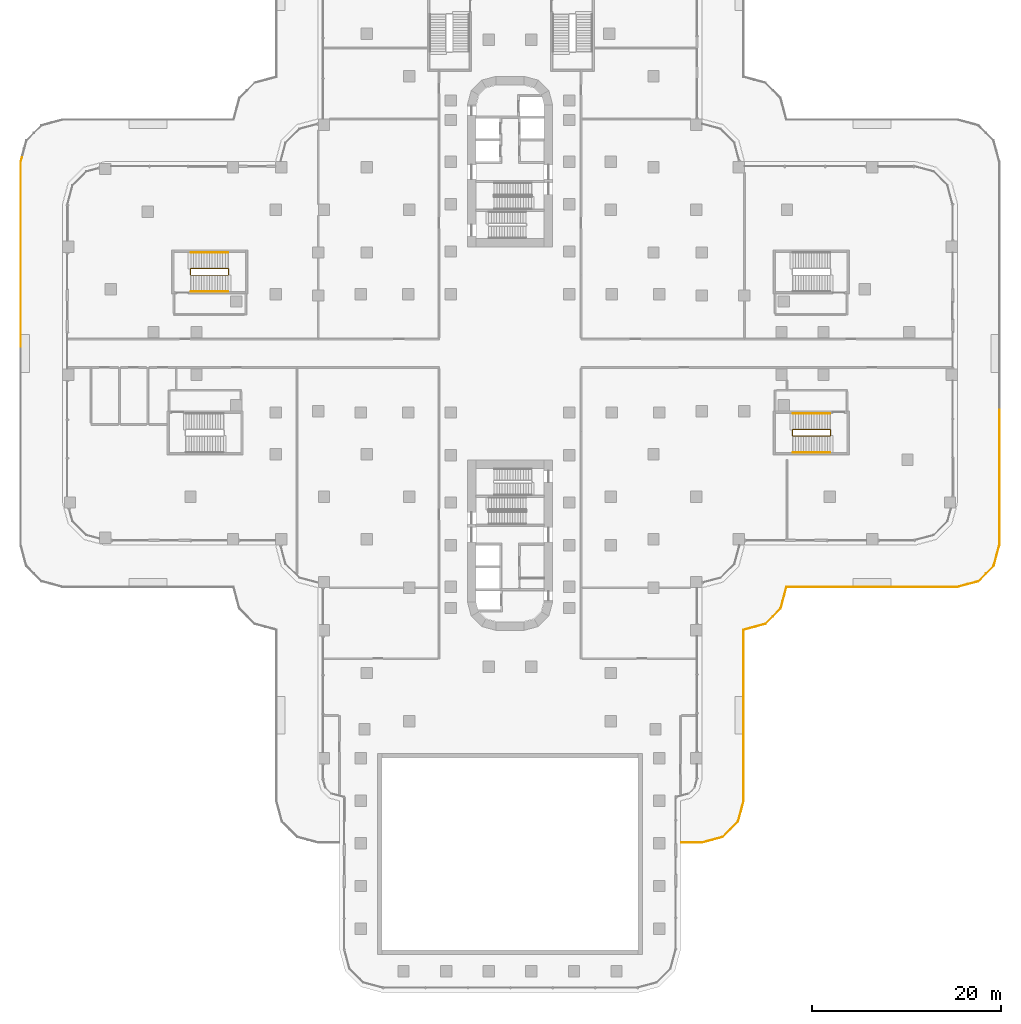
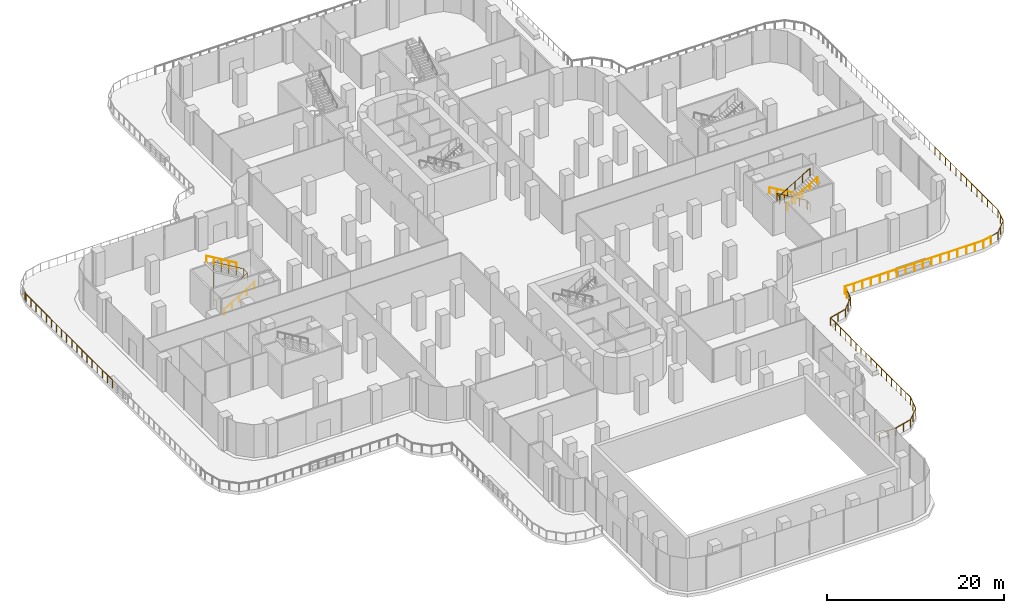
# One storey, part 26 of 29: 11 railings.
"""IFC4 building model written with IfcOpenShell, lengths in metres."""

import ifcopenshell
import ifcopenshell.guid

model = None  # the IFC model being written
_history = None  # IfcOwnerHistory: only IFC2X3 demands one
_inside = {}  # id of a spatial element -> (the spatial element, [elements in it])
_under = {}  # id of a project, library or spatial element -> (it, [spatial elements below it])
_declared = {}  # id of a project -> (the project, [libraries it declares])
_typed = {}  # id of a type object -> (the type object, [elements of that type])
_made_of = {}  # id of a material, layer set ... -> (it, [elements and type objects made of it])


def new_model(schema):
    """Start an empty IFC model of exactly this schema.

    Asked for "IFC4X3", IfcOpenShell would pick the latest addendum, in which some entities
    have other attributes; the version numbers below select the first issue.
    IFC2X3 requires an IfcOwnerHistory on every rooted entity: one is made here for all.
    """
    global model, _history
    if schema == "IFC4X3":
        model = ifcopenshell.file(schema_version=(4, 3, 0, 0))
    else:
        model = ifcopenshell.file(schema=schema)
    _inside.clear()
    _under.clear()
    _declared.clear()
    _typed.clear()
    _made_of.clear()
    _history = None
    if model.schema == "IFC2X3":
        org = make("IfcOrganization", Name="unknown")
        user = make(
            "IfcPersonAndOrganization",
            ThePerson=make("IfcPerson", FamilyName="unknown"),
            TheOrganization=org,
        )
        app = make(
            "IfcApplication",
            ApplicationDeveloper=org,
            Version="unknown",
            ApplicationFullName="unknown",
            ApplicationIdentifier="unknown",
        )
        _history = make(
            "IfcOwnerHistory",
            OwningUser=user,
            OwningApplication=app,
            ChangeAction="ADDED",
            CreationDate=0,
        )
    return model


def make(cls, **values):
    """One entity of the class cls with the attributes given. An attribute that is None is left unset."""
    return model.create_entity(
        cls, **{name: value for name, value in values.items() if value is not None}
    )


def rooted(cls, **values):
    """An entity with a GlobalId (a new one), such as an element, a storey or a relation."""
    return make(cls, GlobalId=ifcopenshell.guid.new(), OwnerHistory=_history, **values)


def si_unit(unit_type, name, prefix=None):
    """IfcSIUnit, for example si_unit("LENGTHUNIT", "METRE", prefix="MILLI")."""
    return make("IfcSIUnit", UnitType=unit_type, Prefix=prefix, Name=name)


def assignment(units):
    """IfcUnitAssignment: the units of a project."""
    return None if units is None else make("IfcUnitAssignment", Units=units)


def point(xyz):
    """IfcCartesianPoint."""
    return None if xyz is None else make("IfcCartesianPoint", Coordinates=xyz)


def direction(xyz):
    """IfcDirection."""
    return None if xyz is None else make("IfcDirection", DirectionRatios=xyz)


def frame(location, z_axis=None, x_axis=None):
    """IfcAxis2Placement3D, a coordinate frame: its origin and axes. An axis left out is left unset."""
    return make(
        "IfcAxis2Placement3D",
        Location=point(location),
        Axis=direction(z_axis),
        RefDirection=direction(x_axis),
    )


def frame_2d(location, x_axis=None):
    """IfcAxis2Placement2D, a coordinate frame in the plane: its origin and x axis."""
    return make(
        "IfcAxis2Placement2D", Location=point(location), RefDirection=direction(x_axis)
    )


def origin():
    """The frame at (0, 0, 0) with its axes left unset."""
    return frame((0.0, 0.0, 0.0))


def origin_2d():
    """The frame at (0, 0) in the plane with its x axis left unset."""
    return frame_2d((0.0, 0.0))


def place(relative_to, where):
    """IfcLocalPlacement: puts the frame where relative to a parent placement (None: the world)."""
    return make(
        "IfcLocalPlacement", PlacementRelTo=relative_to, RelativePlacement=where
    )


def context(
    kind, dimensions, precision=None, world=None, true_north=None, identifier=None
):
    """IfcGeometricRepresentationContext, for example the 3D "Model" context."""
    return make(
        "IfcGeometricRepresentationContext",
        ContextIdentifier=identifier,
        ContextType=kind,
        CoordinateSpaceDimension=dimensions,
        Precision=precision,
        WorldCoordinateSystem=world,
        TrueNorth=true_north,
    )


def subcontext(parent, identifier, kind, view, scale=None):
    """IfcGeometricRepresentationSubContext, for example "Body" below "Model"."""
    return make(
        "IfcGeometricRepresentationSubContext",
        ContextIdentifier=identifier,
        ContextType=kind,
        ParentContext=parent,
        TargetScale=scale,
        TargetView=view,
    )


def project(units=None, contexts=None):
    """IfcProject with its units and contexts."""
    return rooted(
        "IfcProject",
        Name="project",
        RepresentationContexts=contexts,
        UnitsInContext=assignment(units),
    )


def spatial(cls, under=None, at=None, **own):
    """A site, building, storey or space (cls), placed at a placement, below another one or the project."""
    s = rooted(cls, ObjectPlacement=at, **own)
    if under is not None:
        _under.setdefault(under.id(), (under, []))[1].append(s)
    return s


def profile(cls, at=None, kind="AREA", **sizes):
    """A parametric profile (cls). Its sizes go by their IFC names, for example OverallWidth=200.0."""
    return make(cls, ProfileType=kind, Position=at, **sizes)


def circle(**sizes):
    """IfcCircleProfileDef."""
    return profile("IfcCircleProfileDef", **sizes)


def extrude(swept, where, along, depth):
    """IfcExtrudedAreaSolid: the profile swept, set in the frame where, extruded along a direction by depth."""
    return make(
        "IfcExtrudedAreaSolid",
        SweptArea=swept,
        Position=where,
        ExtrudedDirection=direction(along),
        Depth=depth,
    )


def shape(context_of_items, identifier, shape_type, items):
    """IfcShapeRepresentation: the items that make up one representation, for example the "Body"."""
    return make(
        "IfcShapeRepresentation",
        ContextOfItems=context_of_items,
        RepresentationIdentifier=identifier,
        RepresentationType=shape_type,
        Items=items,
    )


def material(Name=None, Category=None):
    """IfcMaterial."""
    return make("IfcMaterial", Name=Name, Category=Category)


def made_of(thing, what):
    """Note that an element or type object is made of a material, layer set ...; save() writes the relation."""
    if what is not None:
        _made_of.setdefault(what.id(), (what, []))[1].append(thing)
    return thing


def type_object(cls, material=None, **own):
    """A type object (cls), such as IfcWallType, which elements share."""
    return made_of(rooted(cls, **own), material)


def element(
    cls,
    number,
    at=None,
    inside=None,
    cuts=None,
    type_object=None,
    material=None,
    context=None,
    identifier="Body",
    shape_type=None,
    held_by="IfcProductDefinitionShape",
    body=None,
    shapes=None,
    **own,
):
    """One element of the class cls, such as IfcWall. Its Tag is "e" and its number.

    at: its placement. inside: the storey or other place that contains it. cuts: it is an
    opening in that element (IfcRelVoidsElement). A single representation is given by context,
    identifier, shape_type and body (its items); several are given by shapes. held_by: the class
    of the entity that holds the representations. save() writes the other relations.
    """
    e = rooted(cls, Tag="e%d" % number, ObjectPlacement=at, **own)
    if body is not None:
        shapes = [shape(context, identifier, shape_type, body)]
    if shapes is not None:
        e.Representation = make(held_by, Representations=shapes)
    if inside is not None:
        _inside.setdefault(inside.id(), (inside, []))[1].append(e)
    if cuts is not None:
        rooted(
            "IfcRelVoidsElement", RelatingBuildingElement=cuts, RelatedOpeningElement=e
        )
    if type_object is not None:
        _typed.setdefault(type_object.id(), (type_object, []))[1].append(e)
    return made_of(e, material)


def aggregate(whole, parts):
    """IfcRelAggregates: a whole, such as a stair, and the parts it consists of."""
    return rooted("IfcRelAggregates", RelatingObject=whole, RelatedObjects=parts)


def save(model, path):
    """Write the relations noted so far, then the file.

    IfcRelAggregates (storeys below a building ...), IfcRelContainedInSpatialStructure (elements
    in a storey), IfcRelDefinesByType, IfcRelAssociatesMaterial and IfcRelDeclares: one each for
    every whole, place, type object, material and project.
    """
    for whole, parts in _under.values():
        aggregate(whole, parts)
    for where, things in _inside.values():
        rooted(
            "IfcRelContainedInSpatialStructure",
            RelatedElements=things,
            RelatingStructure=where,
        )
    for kind, things in _typed.values():
        rooted("IfcRelDefinesByType", RelatedObjects=things, RelatingType=kind)
    for what, things in _made_of.values():
        rooted("IfcRelAssociatesMaterial", RelatedObjects=things, RelatingMaterial=what)
    for by, libraries in _declared.values():
        rooted("IfcRelDeclares", RelatingContext=by, RelatedDefinitions=libraries)
    model.write(path)


model = new_model("IFC4")

# Units and contexts
model_context = context("Model", 3, precision=1e-05, world=origin(), true_north=direction((0.0, 1.0)))
body_context = subcontext(model_context, "Body", "Model", "MODEL_VIEW")
ifc_project = project(units=[si_unit("LENGTHUNIT", "METRE"), si_unit("AREAUNIT", "SQUARE_METRE"), si_unit("VOLUMEUNIT", "CUBIC_METRE"), si_unit("PLANEANGLEUNIT", "RADIAN"), si_unit("MASSUNIT", "GRAM", prefix="KILO")], contexts=[model_context])

# Site, building, storey
site_placement = place(None, origin())
site = spatial("IfcSite", under=ifc_project, at=site_placement, CompositionType="ELEMENT")
building_placement = place(site_placement, origin())
building = spatial("IfcBuilding", under=site, at=building_placement, Name="Zarbagh Exchange Tower", CompositionType="ELEMENT")
storey_placement = place(building_placement, frame((0.0, 0.0, 12.0)))
storey = spatial("IfcBuildingStorey", under=building, at=storey_placement, Name="L02", CompositionType="ELEMENT", Elevation=12.0)

# Railings
ifc_material_1 = material(Name="Stainless steel", Category="steel")
railing_type_1 = type_object("IfcRailingType", Name="Stair guard 1100 mm", PredefinedType="GUARDRAIL", material=ifc_material_1)
railing_1_placement = place(storey_placement, frame((-29.72998046875, 8.300048828125, 2.5)))
element("IfcRailing", 1, at=railing_1_placement, inside=storey, type_object=railing_type_1, Name="PS5 stair guard 1", PredefinedType="GUARDRAIL", context=body_context, shape_type="SweptSolid", body=[
    extrude(circle(Radius=0.02392578125, at=origin_2d()), frame((0.0, 0.0, 1.076171875), z_axis=(0.0, 1.0, 0.0), x_axis=(-1.0, 0.0, 0.0)), (0.0, 0.0, 1.0), 0.599853515625),
    extrude(circle(Radius=0.02392578125, at=origin_2d()), frame((0.0, 0.599853515625, 1.076171875), z_axis=(-0.27628659633, 0.27628659633, 0.920506074601), x_axis=(-0.707106781187, -0.707106781187, 0.0)), (0.0, 0.0, 1.0), 0.18115234375),
    extrude(circle(Radius=0.02392578125, at=origin_2d()), frame((-0.050048828125, 0.64990234375, 1.24267578125), z_axis=(-0.859296244711, 0.0, 0.511478214419), x_axis=(0.0, -1.0, 0.0)), (0.0, 0.0, 1.0), 4.561767578125),
    extrude(circle(Radius=0.02392578125, at=origin_2d()), frame((-3.969970703125, 0.64990234375, 3.576171875), z_axis=(-0.010008762843, -0.010008762843, -0.999899819648), x_axis=(0.707106781187, -0.707106781187, 0.0)), (0.0, 0.0, 1.0), 5.00048828125),
    extrude(circle(Radius=0.02392578125, at=origin_2d()), frame((-4.02001953125, 0.599853515625, -1.423828125), z_axis=(0.0, -1.0, 0.0), x_axis=(1.0, 0.0, 0.0)), (0.0, 0.0, 1.0), 0.599853515625),
    extrude(circle(Radius=0.02392578125, at=origin_2d()), frame((-4.02001953125, 0.0, -1.423828125), z_axis=(0.27628659633, -0.27628659633, 0.920506074601), x_axis=(0.707106781187, 0.707106781187, 0.0)), (0.0, 0.0, 1.0), 0.18115234375),
    extrude(circle(Radius=0.02392578125, at=origin_2d()), frame((-3.969970703125, -0.050048828125, -1.25732421875), z_axis=(0.859296244711, 0.0, 0.511478214419), x_axis=(0.0, 1.0, 0.0)), (0.0, 0.0, 1.0), 4.561767578125),
    extrude(circle(Radius=0.02099609375, at=origin_2d()), origin(), (0.0, 0.0, 1.0), 1.052001953125),
    extrude(circle(Radius=0.02099609375, at=origin_2d()), frame((0.0, 0.599853515625, 0.0)), (0.0, 0.0, 1.0), 1.052001953125),
    extrude(circle(Radius=0.02099609375, at=origin_2d()), frame((-0.050048828125, 0.64990234375, 0.166748046875)), (0.0, 0.0, 1.0), 1.052001953125),
    extrude(circle(Radius=0.02099609375, at=origin_2d()), frame((-1.030029296875, 0.64990234375, 0.75)), (0.0, 0.0, 1.0), 1.052001953125),
    extrude(circle(Radius=0.02099609375, at=origin_2d()), frame((-2.010009765625, 0.64990234375, 1.33349609375)), (0.0, 0.0, 1.0), 1.052001953125),
    extrude(circle(Radius=0.02099609375, at=origin_2d()), frame((-2.989990234375, 0.64990234375, 1.916748046875)), (0.0, 0.0, 1.0), 1.052001953125),
    extrude(circle(Radius=0.02099609375, at=origin_2d()), frame((-3.969970703125, 0.64990234375, 2.5)), (0.0, 0.0, 1.0), 1.052001953125),
    extrude(circle(Radius=0.02099609375, at=origin_2d()), frame((-3.97998046875, 0.639892578125, 1.5)), (0.0, 0.0, 1.0), 1.052001953125),
    extrude(circle(Radius=0.02099609375, at=origin_2d()), frame((-3.989990234375, 0.6298828125, 0.5)), (0.0, 0.0, 1.0), 1.052001953125),
    extrude(circle(Radius=0.02099609375, at=origin_2d()), frame((-4.0, 0.619873046875, -0.5)), (0.0, 0.0, 1.0), 1.052001953125),
    extrude(circle(Radius=0.02099609375, at=origin_2d()), frame((-4.010009765625, 0.60986328125, -1.5)), (0.0, 0.0, 1.0), 1.052001953125),
    extrude(circle(Radius=0.02099609375, at=origin_2d()), frame((-4.02001953125, 0.599853515625, -2.5)), (0.0, 0.0, 1.0), 1.052001953125),
    extrude(circle(Radius=0.02099609375, at=origin_2d()), frame((-4.02001953125, 0.0, -2.5)), (0.0, 0.0, 1.0), 1.052001953125),
    extrude(circle(Radius=0.02099609375, at=origin_2d()), frame((-3.969970703125, -0.050048828125, -2.333251953125)), (0.0, 0.0, 1.0), 1.052001953125),
    extrude(circle(Radius=0.02099609375, at=origin_2d()), frame((-2.989990234375, -0.050048828125, -1.75)), (0.0, 0.0, 1.0), 1.052001953125),
    extrude(circle(Radius=0.02099609375, at=origin_2d()), frame((-2.010009765625, -0.050048828125, -1.16650390625)), (0.0, 0.0, 1.0), 1.052001953125),
    extrude(circle(Radius=0.02099609375, at=origin_2d()), frame((-1.030029296875, -0.050048828125, -0.583251953125)), (0.0, 0.0, 1.0), 1.052001953125),
    extrude(circle(Radius=0.02099609375, at=origin_2d()), frame((-0.050048828125, -0.050048828125, 0.0)), (0.0, 0.0, 1.0), 1.052001953125),
])
railing_2_placement = place(storey_placement, frame((33.85009765625, -8.699951171875, 0.0)))
element("IfcRailing", 2, at=railing_2_placement, inside=storey, type_object=railing_type_1, Name="PS6 stair guard 1", PredefinedType="GUARDRAIL", context=body_context, shape_type="SweptSolid", body=[
    extrude(circle(Radius=0.02392578125, at=origin_2d()), frame((0.0, 0.0, 1.076171875), z_axis=(0.0, 1.0, 0.0), x_axis=(-1.0, 0.0, 0.0)), (0.0, 0.0, 1.0), 0.599853515625),
    extrude(circle(Radius=0.02392578125, at=origin_2d()), frame((0.0, 0.599853515625, 1.076171875), z_axis=(-0.27628659633, 0.27628659633, 0.920506074601), x_axis=(-0.707106781187, -0.707106781187, 0.0)), (0.0, 0.0, 1.0), 0.18115234375),
    extrude(circle(Radius=0.02392578125, at=origin_2d()), frame((-0.050048828125, 0.64990234375, 1.24267578125), z_axis=(-0.859310244771, 0.0, 0.511454693235), x_axis=(0.0, -1.0, 0.0)), (0.0, 0.0, 1.0), 4.56201171875),
    extrude(circle(Radius=0.02392578125, at=origin_2d()), frame((-3.97021484375, 0.64990234375, 3.576171875), z_axis=(-0.705375805398, -0.708833529934, 0.0), x_axis=(0.708833529934, -0.705375805398, 0.0)), (0.0, 0.0, 1.0), 0.070556640625),
    extrude(circle(Radius=0.02392578125, at=origin_2d()), frame((-4.02001953125, 0.599853515625, 3.576171875), z_axis=(0.0, -1.0, 0.0), x_axis=(1.0, 0.0, 0.0)), (0.0, 0.0, 1.0), 0.599853515625),
    extrude(circle(Radius=0.02392578125, at=origin_2d()), frame((-4.02001953125, 0.0, 3.576171875), z_axis=(0.275041040955, -0.276389281352, 0.920848191041), x_axis=(0.708833529934, 0.705375805398, 0.0)), (0.0, 0.0, 1.0), 0.18115234375),
    extrude(circle(Radius=0.02392578125, at=origin_2d()), frame((-3.97021484375, -0.050048828125, 3.74267578125), z_axis=(0.859310244771, 0.0, 0.511454693235), x_axis=(0.0, 1.0, 0.0)), (0.0, 0.0, 1.0), 4.56201171875),
    extrude(circle(Radius=0.02099609375, at=origin_2d()), origin(), (0.0, 0.0, 1.0), 1.052001953125),
    extrude(circle(Radius=0.02099609375, at=origin_2d()), frame((0.0, 0.599853515625, 0.0)), (0.0, 0.0, 1.0), 1.052001953125),
    extrude(circle(Radius=0.02099609375, at=origin_2d()), frame((-0.050048828125, 0.64990234375, 0.166748046875)), (0.0, 0.0, 1.0), 1.052001953125),
    extrude(circle(Radius=0.02099609375, at=origin_2d()), frame((-1.030029296875, 0.64990234375, 0.75)), (0.0, 0.0, 1.0), 1.052001953125),
    extrude(circle(Radius=0.02099609375, at=origin_2d()), frame((-2.01025390625, 0.64990234375, 1.33349609375)), (0.0, 0.0, 1.0), 1.052001953125),
    extrude(circle(Radius=0.02099609375, at=origin_2d()), frame((-2.990234375, 0.64990234375, 1.916748046875)), (0.0, 0.0, 1.0), 1.052001953125),
    extrude(circle(Radius=0.02099609375, at=origin_2d()), frame((-3.97021484375, 0.64990234375, 2.5)), (0.0, 0.0, 1.0), 1.052001953125),
    extrude(circle(Radius=0.02099609375, at=origin_2d()), frame((-4.02001953125, 0.599853515625, 2.5)), (0.0, 0.0, 1.0), 1.052001953125),
    extrude(circle(Radius=0.02099609375, at=origin_2d()), frame((-4.02001953125, 0.0, 2.5)), (0.0, 0.0, 1.0), 1.052001953125),
    extrude(circle(Radius=0.02099609375, at=origin_2d()), frame((-3.97021484375, -0.050048828125, 2.666748046875)), (0.0, 0.0, 1.0), 1.052001953125),
    extrude(circle(Radius=0.02099609375, at=origin_2d()), frame((-2.990234375, -0.050048828125, 3.25)), (0.0, 0.0, 1.0), 1.052001953125),
    extrude(circle(Radius=0.02099609375, at=origin_2d()), frame((-2.01025390625, -0.050048828125, 3.83349609375)), (0.0, 0.0, 1.0), 1.052001953125),
    extrude(circle(Radius=0.02099609375, at=origin_2d()), frame((-1.030029296875, -0.050048828125, 4.416748046875)), (0.0, 0.0, 1.0), 1.052001953125),
    extrude(circle(Radius=0.02099609375, at=origin_2d()), frame((-0.050048828125, -0.050048828125, 5.0)), (0.0, 0.0, 1.0), 1.052001953125),
])
railing_type_2 = type_object("IfcRailingType", Name="Stair handrail 900 mm", PredefinedType="HANDRAIL", material=ifc_material_1)
railing_3_placement = place(storey_placement, frame((-33.699951171875, 6.550048828125, 0.166748046875)))
element("IfcRailing", 3, at=railing_3_placement, inside=storey, type_object=railing_type_2, Name="PS5 stair handrail 1", PredefinedType="HANDRAIL", context=body_context, shape_type="SweptSolid", body=[
    extrude(circle(Radius=0.02392578125, at=origin_2d()), frame((0.0, 0.0, 0.8759765625), z_axis=(0.859296244711, 0.0, 0.511478214419), x_axis=(0.0, 1.0, 0.0)), (0.0, 0.0, 1.0), 4.561767578125),
    extrude(circle(Radius=0.02099609375, at=origin_2d()), origin(), (0.0, 0.0, 1.0), 0.851806640625),
    extrude(circle(Radius=0.02099609375, at=origin_2d()), frame((0.97998046875, 0.0, 0.583251953125)), (0.0, 0.0, 1.0), 0.851806640625),
    extrude(circle(Radius=0.02099609375, at=origin_2d()), frame((1.9599609375, 0.0, 1.16650390625)), (0.0, 0.0, 1.0), 0.851806640625),
    extrude(circle(Radius=0.02099609375, at=origin_2d()), frame((2.93994140625, 0.0, 1.75)), (0.0, 0.0, 1.0), 0.851806640625),
    extrude(circle(Radius=0.02099609375, at=origin_2d()), frame((3.919921875, 0.0, 2.333251953125)), (0.0, 0.0, 1.0), 0.851806640625),
])
railing_4_placement = place(storey_placement, frame((-29.780029296875, 10.64990234375, 2.666748046875)))
element("IfcRailing", 4, at=railing_4_placement, inside=storey, type_object=railing_type_2, Name="PS5 stair handrail 2", PredefinedType="HANDRAIL", context=body_context, shape_type="SweptSolid", body=[
    extrude(circle(Radius=0.02392578125, at=origin_2d()), frame((0.0, 0.0, 0.8759765625), z_axis=(-0.859296244711, 0.0, 0.511478214419), x_axis=(0.0, -1.0, 0.0)), (0.0, 0.0, 1.0), 4.561767578125),
    extrude(circle(Radius=0.02099609375, at=origin_2d()), origin(), (0.0, 0.0, 1.0), 0.851806640625),
    extrude(circle(Radius=0.02099609375, at=origin_2d()), frame((-0.97998046875, 0.0, 0.583251953125)), (0.0, 0.0, 1.0), 0.851806640625),
    extrude(circle(Radius=0.02099609375, at=origin_2d()), frame((-1.9599609375, 0.0, 1.16650390625)), (0.0, 0.0, 1.0), 0.851806640625),
    extrude(circle(Radius=0.02099609375, at=origin_2d()), frame((-2.93994140625, 0.0, 1.75)), (0.0, 0.0, 1.0), 0.851806640625),
    extrude(circle(Radius=0.02099609375, at=origin_2d()), frame((-3.919921875, 0.0, 2.333251953125)), (0.0, 0.0, 1.0), 0.851806640625),
])
railing_5_placement = place(storey_placement, frame((33.800048828125, -6.35009765625, 0.166748046875)))
element("IfcRailing", 5, at=railing_5_placement, inside=storey, type_object=railing_type_2, Name="PS6 stair handrail 1", PredefinedType="HANDRAIL", context=body_context, shape_type="SweptSolid", body=[
    extrude(circle(Radius=0.02392578125, at=origin_2d()), frame((0.0, 0.0, 0.8759765625), z_axis=(-0.859310244771, 0.0, 0.511454693235), x_axis=(0.0, -1.0, 0.0)), (0.0, 0.0, 1.0), 4.56201171875),
    extrude(circle(Radius=0.02099609375, at=origin_2d()), origin(), (0.0, 0.0, 1.0), 0.851806640625),
    extrude(circle(Radius=0.02099609375, at=origin_2d()), frame((-0.97998046875, 0.0, 0.583251953125)), (0.0, 0.0, 1.0), 0.851806640625),
    extrude(circle(Radius=0.02099609375, at=origin_2d()), frame((-1.9599609375, 0.0, 1.16650390625)), (0.0, 0.0, 1.0), 0.851806640625),
    extrude(circle(Radius=0.02099609375, at=origin_2d()), frame((-2.940185546875, 0.0, 1.75)), (0.0, 0.0, 1.0), 0.851806640625),
    extrude(circle(Radius=0.02099609375, at=origin_2d()), frame((-3.920166015625, 0.0, 2.333251953125)), (0.0, 0.0, 1.0), 0.851806640625),
])
railing_6_placement = place(storey_placement, frame((29.8798828125, -10.449951171875, 2.666748046875)))
element("IfcRailing", 6, at=railing_6_placement, inside=storey, type_object=railing_type_2, Name="PS6 stair handrail 2", PredefinedType="HANDRAIL", context=body_context, shape_type="SweptSolid", body=[
    extrude(circle(Radius=0.02392578125, at=origin_2d()), frame((0.0, 0.0, 0.8759765625), z_axis=(0.859310244771, 0.0, 0.511454693235), x_axis=(0.0, 1.0, 0.0)), (0.0, 0.0, 1.0), 4.56201171875),
    extrude(circle(Radius=0.02099609375, at=origin_2d()), origin(), (0.0, 0.0, 1.0), 0.851806640625),
    extrude(circle(Radius=0.02099609375, at=origin_2d()), frame((0.97998046875, 0.0, 0.583251953125)), (0.0, 0.0, 1.0), 0.851806640625),
    extrude(circle(Radius=0.02099609375, at=origin_2d()), frame((1.9599609375, 0.0, 1.16650390625)), (0.0, 0.0, 1.0), 0.851806640625),
    extrude(circle(Radius=0.02099609375, at=origin_2d()), frame((2.940185546875, 0.0, 1.75)), (0.0, 0.0, 1.0), 0.851806640625),
    extrude(circle(Radius=0.02099609375, at=origin_2d()), frame((3.920166015625, 0.0, 2.333251953125)), (0.0, 0.0, 1.0), 0.851806640625),
])
ifc_material_2 = material(Name="Stainless steel and laminated glass", Category="steel")
railing_type_3 = type_object("IfcRailingType", Name="Terrace guard, glass balustrade 1.1 m", PredefinedType="GUARDRAIL", material=ifc_material_2)
railing_7_placement = place(storey_placement, frame((-51.669921875, 0.711669921875, 0.0)))
element("IfcRailing", 7, at=railing_7_placement, inside=storey, type_object=railing_type_3, Name="TG01 terrace guard", PredefinedType="GUARDRAIL", context=body_context, shape_type="SweptSolid", body=[
    extrude(circle(Radius=0.02490234375, at=origin_2d()), frame((0.0, 0.0, 1.0751953125), z_axis=(0.0, 1.0, 0.0), x_axis=(-1.0, 0.0, 0.0)), (0.0, 0.0, 1.0), 19.52783203125),
    extrude(circle(Radius=0.02490234375, at=origin_2d()), frame((0.0, 19.52783203125, 1.0751953125), z_axis=(0.258563756556, 0.965994194494, 0.0), x_axis=(-0.965994194494, 0.258563756556, 0.0)), (0.0, 0.0, 1.0), 0.47216796875),
    extrude(circle(Radius=0.02490234375, at=origin_2d()), origin(), (0.0, 0.0, 1.0), 1.050048828125),
    extrude(circle(Radius=0.02490234375, at=origin_2d()), frame((0.0, 1.148681640625, 0.0)), (0.0, 0.0, 1.0), 1.050048828125),
    extrude(circle(Radius=0.02490234375, at=origin_2d()), frame((0.0, 2.29736328125, 0.0)), (0.0, 0.0, 1.0), 1.050048828125),
    extrude(circle(Radius=0.02490234375, at=origin_2d()), frame((0.0, 3.446044921875, 0.0)), (0.0, 0.0, 1.0), 1.050048828125),
    extrude(circle(Radius=0.02490234375, at=origin_2d()), frame((0.0, 4.5947265625, 0.0)), (0.0, 0.0, 1.0), 1.050048828125),
    extrude(circle(Radius=0.02490234375, at=origin_2d()), frame((0.0, 5.743408203125, 0.0)), (0.0, 0.0, 1.0), 1.050048828125),
    extrude(circle(Radius=0.02490234375, at=origin_2d()), frame((0.0, 6.89208984375, 0.0)), (0.0, 0.0, 1.0), 1.050048828125),
    extrude(circle(Radius=0.02490234375, at=origin_2d()), frame((0.0, 8.040771484375, 0.0)), (0.0, 0.0, 1.0), 1.050048828125),
    extrude(circle(Radius=0.02490234375, at=origin_2d()), frame((0.0, 9.189453125, 0.0)), (0.0, 0.0, 1.0), 1.050048828125),
    extrude(circle(Radius=0.02490234375, at=origin_2d()), frame((0.0, 10.33837890625, 0.0)), (0.0, 0.0, 1.0), 1.050048828125),
    extrude(circle(Radius=0.02490234375, at=origin_2d()), frame((0.0, 11.487060546875, 0.0)), (0.0, 0.0, 1.0), 1.050048828125),
    extrude(circle(Radius=0.02490234375, at=origin_2d()), frame((0.0, 12.6357421875, 0.0)), (0.0, 0.0, 1.0), 1.050048828125),
    extrude(circle(Radius=0.02490234375, at=origin_2d()), frame((0.0, 13.784423828125, 0.0)), (0.0, 0.0, 1.0), 1.050048828125),
    extrude(circle(Radius=0.02490234375, at=origin_2d()), frame((0.0, 14.93310546875, 0.0)), (0.0, 0.0, 1.0), 1.050048828125),
    extrude(circle(Radius=0.02490234375, at=origin_2d()), frame((0.0, 16.081787109375, 0.0)), (0.0, 0.0, 1.0), 1.050048828125),
    extrude(circle(Radius=0.02490234375, at=origin_2d()), frame((0.0, 17.23046875, 0.0)), (0.0, 0.0, 1.0), 1.050048828125),
    extrude(circle(Radius=0.02490234375, at=origin_2d()), frame((0.0, 18.379150390625, 0.0)), (0.0, 0.0, 1.0), 1.050048828125),
    extrude(circle(Radius=0.02490234375, at=origin_2d()), frame((0.0, 19.52783203125, 0.0)), (0.0, 0.0, 1.0), 1.050048828125),
    extrude(circle(Radius=0.02490234375, at=origin_2d()), frame((0.1220703125, 19.98388671875, 0.0)), (0.0, 0.0, 1.0), 1.050048828125),
])
railing_8_placement = place(storey_placement, frame((51.669921875, -5.974853515625, 0.0)))
element("IfcRailing", 8, at=railing_8_placement, inside=storey, type_object=railing_type_3, Name="TG01 terrace guard", PredefinedType="GUARDRAIL", context=body_context, shape_type="SweptSolid", body=[
    extrude(circle(Radius=0.02490234375, at=origin_2d()), frame((0.0, 0.0, 1.0751953125), z_axis=(0.0, -1.0, 0.0), x_axis=(1.0, 0.0, 0.0)), (0.0, 0.0, 1.0), 14.2646484375),
    extrude(circle(Radius=0.02490234375, at=origin_2d()), frame((0.0, -14.2646484375, 1.0751953125), z_axis=(-0.258780353152, -0.965936192935, 0.0), x_axis=(0.965936192935, -0.258780353152, 0.0)), (0.0, 0.0, 1.0), 2.29736328125),
    extrude(circle(Radius=0.02490234375, at=origin_2d()), frame((-0.594482421875, -16.483642578125, 1.0751953125), z_axis=(-0.707106781187, -0.707106781187, 0.0), x_axis=(0.707106781187, -0.707106781187, 0.0)), (0.0, 0.0, 1.0), 2.28662109375),
    extrude(circle(Radius=0.02490234375, at=origin_2d()), frame((-2.21142578125, -18.1005859375, 1.0751953125), z_axis=(-0.965952783511, -0.258718418416, 0.0), x_axis=(0.258718418416, -0.965952783511, 0.0)), (0.0, 0.0, 1.0), 1.1513671875),
    extrude(circle(Radius=0.02490234375, at=origin_2d()), origin(), (0.0, 0.0, 1.0), 1.050048828125),
    extrude(circle(Radius=0.02490234375, at=origin_2d()), frame((0.0, -1.188720703125, 0.0)), (0.0, 0.0, 1.0), 1.050048828125),
    extrude(circle(Radius=0.02490234375, at=origin_2d()), frame((0.0, -2.37744140625, 0.0)), (0.0, 0.0, 1.0), 1.050048828125),
    extrude(circle(Radius=0.02490234375, at=origin_2d()), frame((0.0, -3.566162109375, 0.0)), (0.0, 0.0, 1.0), 1.050048828125),
    extrude(circle(Radius=0.02490234375, at=origin_2d()), frame((0.0, -4.7548828125, 0.0)), (0.0, 0.0, 1.0), 1.050048828125),
    extrude(circle(Radius=0.02490234375, at=origin_2d()), frame((0.0, -5.943603515625, 0.0)), (0.0, 0.0, 1.0), 1.050048828125),
    extrude(circle(Radius=0.02490234375, at=origin_2d()), frame((0.0, -7.13232421875, 0.0)), (0.0, 0.0, 1.0), 1.050048828125),
    extrude(circle(Radius=0.02490234375, at=origin_2d()), frame((0.0, -8.321044921875, 0.0)), (0.0, 0.0, 1.0), 1.050048828125),
    extrude(circle(Radius=0.02490234375, at=origin_2d()), frame((0.0, -9.509765625, 0.0)), (0.0, 0.0, 1.0), 1.050048828125),
    extrude(circle(Radius=0.02490234375, at=origin_2d()), frame((0.0, -10.698486328125, 0.0)), (0.0, 0.0, 1.0), 1.050048828125),
    extrude(circle(Radius=0.02490234375, at=origin_2d()), frame((0.0, -11.88720703125, 0.0)), (0.0, 0.0, 1.0), 1.050048828125),
    extrude(circle(Radius=0.02490234375, at=origin_2d()), frame((0.0, -13.075927734375, 0.0)), (0.0, 0.0, 1.0), 1.050048828125),
    extrude(circle(Radius=0.02490234375, at=origin_2d()), frame((0.0, -14.2646484375, 0.0)), (0.0, 0.0, 1.0), 1.050048828125),
    extrude(circle(Radius=0.02490234375, at=origin_2d()), frame((-0.29736328125, -15.3740234375, 0.0)), (0.0, 0.0, 1.0), 1.050048828125),
    extrude(circle(Radius=0.02490234375, at=origin_2d()), frame((-0.594482421875, -16.483642578125, 0.0)), (0.0, 0.0, 1.0), 1.050048828125),
    extrude(circle(Radius=0.02490234375, at=origin_2d()), frame((-1.40283203125, -17.2919921875, 0.0)), (0.0, 0.0, 1.0), 1.050048828125),
    extrude(circle(Radius=0.02490234375, at=origin_2d()), frame((-2.21142578125, -18.1005859375, 0.0)), (0.0, 0.0, 1.0), 1.050048828125),
    extrude(circle(Radius=0.02490234375, at=origin_2d()), frame((-3.323486328125, -18.3984375, 0.0)), (0.0, 0.0, 1.0), 1.050048828125),
])
railing_9_placement = place(storey_placement, frame((48.346435546875, -24.373291015625, 0.0)))
element("IfcRailing", 9, at=railing_9_placement, inside=storey, type_object=railing_type_3, Name="TG01 terrace guard", PredefinedType="GUARDRAIL", context=body_context, shape_type="SweptSolid", body=[
    extrude(circle(Radius=0.02490234375, at=origin_2d()), frame((0.0, 0.0, 1.0751953125), z_axis=(-0.965919522093, -0.258842571536, 0.0), x_axis=(0.258842571536, -0.965919522093, 0.0)), (0.0, 0.0, 1.0), 1.14599609375),
    extrude(circle(Radius=0.02490234375, at=origin_2d()), frame((-1.10693359375, -0.296630859375, 1.0751953125), z_axis=(-1.0, 0.0, 0.0), x_axis=(0.0, -1.0, 0.0)), (0.0, 0.0, 1.0), 18.05078125),
    extrude(circle(Radius=0.02490234375, at=origin_2d()), frame((-19.15771484375, -0.296630859375, 1.0751953125), z_axis=(-0.258948766986, -0.965891058079, 0.0), x_axis=(0.965891058079, -0.258948766986, 0.0)), (0.0, 0.0, 1.0), 0.80322265625),
    extrude(circle(Radius=0.02490234375, at=origin_2d()), origin(), (0.0, 0.0, 1.0), 1.050048828125),
    extrude(circle(Radius=0.02490234375, at=origin_2d()), frame((-1.10693359375, -0.296630859375, 0.0)), (0.0, 0.0, 1.0), 1.050048828125),
    extrude(circle(Radius=0.02490234375, at=origin_2d()), frame((-2.235107421875, -0.296630859375, 0.0)), (0.0, 0.0, 1.0), 1.050048828125),
    extrude(circle(Radius=0.02490234375, at=origin_2d()), frame((-3.36328125, -0.296630859375, 0.0)), (0.0, 0.0, 1.0), 1.050048828125),
    extrude(circle(Radius=0.02490234375, at=origin_2d()), frame((-4.491455078125, -0.296630859375, 0.0)), (0.0, 0.0, 1.0), 1.050048828125),
    extrude(circle(Radius=0.02490234375, at=origin_2d()), frame((-5.61962890625, -0.296630859375, 0.0)), (0.0, 0.0, 1.0), 1.050048828125),
    extrude(circle(Radius=0.02490234375, at=origin_2d()), frame((-6.747802734375, -0.296630859375, 0.0)), (0.0, 0.0, 1.0), 1.050048828125),
    extrude(circle(Radius=0.02490234375, at=origin_2d()), frame((-7.8759765625, -0.296630859375, 0.0)), (0.0, 0.0, 1.0), 1.050048828125),
    extrude(circle(Radius=0.02490234375, at=origin_2d()), frame((-9.004150390625, -0.296630859375, 0.0)), (0.0, 0.0, 1.0), 1.050048828125),
    extrude(circle(Radius=0.02490234375, at=origin_2d()), frame((-10.13232421875, -0.296630859375, 0.0)), (0.0, 0.0, 1.0), 1.050048828125),
    extrude(circle(Radius=0.02490234375, at=origin_2d()), frame((-11.260498046875, -0.296630859375, 0.0)), (0.0, 0.0, 1.0), 1.050048828125),
    extrude(circle(Radius=0.02490234375, at=origin_2d()), frame((-12.388671875, -0.296630859375, 0.0)), (0.0, 0.0, 1.0), 1.050048828125),
    extrude(circle(Radius=0.02490234375, at=origin_2d()), frame((-13.516845703125, -0.296630859375, 0.0)), (0.0, 0.0, 1.0), 1.050048828125),
    extrude(circle(Radius=0.02490234375, at=origin_2d()), frame((-14.64501953125, -0.296630859375, 0.0)), (0.0, 0.0, 1.0), 1.050048828125),
    extrude(circle(Radius=0.02490234375, at=origin_2d()), frame((-15.773193359375, -0.296630859375, 0.0)), (0.0, 0.0, 1.0), 1.050048828125),
    extrude(circle(Radius=0.02490234375, at=origin_2d()), frame((-16.9013671875, -0.296630859375, 0.0)), (0.0, 0.0, 1.0), 1.050048828125),
    extrude(circle(Radius=0.02490234375, at=origin_2d()), frame((-18.029541015625, -0.296630859375, 0.0)), (0.0, 0.0, 1.0), 1.050048828125),
    extrude(circle(Radius=0.02490234375, at=origin_2d()), frame((-19.15771484375, -0.296630859375, 0.0)), (0.0, 0.0, 1.0), 1.050048828125),
    extrude(circle(Radius=0.02490234375, at=origin_2d()), frame((-19.36572265625, -1.072509765625, 0.0)), (0.0, 0.0, 1.0), 1.050048828125),
])
railing_10_placement = place(storey_placement, frame((28.980712890625, -25.44580078125, 0.0)))
element("IfcRailing", 10, at=railing_10_placement, inside=storey, type_object=railing_type_3, Name="TG01 terrace guard", PredefinedType="GUARDRAIL", context=body_context, shape_type="SweptSolid", body=[
    extrude(circle(Radius=0.02490234375, at=origin_2d()), frame((0.0, 0.0, 1.0751953125), z_axis=(-0.258788034857, -0.965934134926, 0.0), x_axis=(0.965934134926, -0.258788034857, 0.0)), (0.0, 0.0, 1.0), 1.566162109375),
    extrude(circle(Radius=0.02490234375, at=origin_2d()), frame((-0.4052734375, -1.5126953125, 1.0751953125), z_axis=(-0.707106781187, -0.707106781187, 0.0), x_axis=(0.707106781187, -0.707106781187, 0.0)), (0.0, 0.0, 1.0), 2.28662109375),
    extrude(circle(Radius=0.02490234375, at=origin_2d()), frame((-2.022216796875, -3.129638671875, 1.0751953125), z_axis=(-0.965919533457, -0.258842529128, 0.0), x_axis=(0.258842529128, -0.965919533457, 0.0)), (0.0, 0.0, 1.0), 2.369384765625),
    extrude(circle(Radius=0.02490234375, at=origin_2d()), frame((-4.310791015625, -3.742919921875, 1.0751953125), z_axis=(0.0, -1.0, 0.0), x_axis=(1.0, 0.0, 0.0)), (0.0, 0.0, 1.0), 13.77783203125),
    extrude(circle(Radius=0.02490234375, at=origin_2d()), origin(), (0.0, 0.0, 1.0), 1.050048828125),
    extrude(circle(Radius=0.02490234375, at=origin_2d()), frame((-0.20263671875, -0.75634765625, 0.0)), (0.0, 0.0, 1.0), 1.050048828125),
    extrude(circle(Radius=0.02490234375, at=origin_2d()), frame((-0.4052734375, -1.5126953125, 0.0)), (0.0, 0.0, 1.0), 1.050048828125),
    extrude(circle(Radius=0.02490234375, at=origin_2d()), frame((-1.2138671875, -2.3212890625, 0.0)), (0.0, 0.0, 1.0), 1.050048828125),
    extrude(circle(Radius=0.02490234375, at=origin_2d()), frame((-2.022216796875, -3.129638671875, 0.0)), (0.0, 0.0, 1.0), 1.050048828125),
    extrude(circle(Radius=0.02490234375, at=origin_2d()), frame((-3.16650390625, -3.436279296875, 0.0)), (0.0, 0.0, 1.0), 1.050048828125),
    extrude(circle(Radius=0.02490234375, at=origin_2d()), frame((-4.310791015625, -3.742919921875, 0.0)), (0.0, 0.0, 1.0), 1.050048828125),
    extrude(circle(Radius=0.02490234375, at=origin_2d()), frame((-4.310791015625, -4.89111328125, 0.0)), (0.0, 0.0, 1.0), 1.050048828125),
    extrude(circle(Radius=0.02490234375, at=origin_2d()), frame((-4.310791015625, -6.039306640625, 0.0)), (0.0, 0.0, 1.0), 1.050048828125),
    extrude(circle(Radius=0.02490234375, at=origin_2d()), frame((-4.310791015625, -7.1875, 0.0)), (0.0, 0.0, 1.0), 1.050048828125),
    extrude(circle(Radius=0.02490234375, at=origin_2d()), frame((-4.310791015625, -8.33544921875, 0.0)), (0.0, 0.0, 1.0), 1.050048828125),
    extrude(circle(Radius=0.02490234375, at=origin_2d()), frame((-4.310791015625, -9.483642578125, 0.0)), (0.0, 0.0, 1.0), 1.050048828125),
    extrude(circle(Radius=0.02490234375, at=origin_2d()), frame((-4.310791015625, -10.6318359375, 0.0)), (0.0, 0.0, 1.0), 1.050048828125),
    extrude(circle(Radius=0.02490234375, at=origin_2d()), frame((-4.310791015625, -11.780029296875, 0.0)), (0.0, 0.0, 1.0), 1.050048828125),
    extrude(circle(Radius=0.02490234375, at=origin_2d()), frame((-4.310791015625, -12.92822265625, 0.0)), (0.0, 0.0, 1.0), 1.050048828125),
    extrude(circle(Radius=0.02490234375, at=origin_2d()), frame((-4.310791015625, -14.076171875, 0.0)), (0.0, 0.0, 1.0), 1.050048828125),
    extrude(circle(Radius=0.02490234375, at=origin_2d()), frame((-4.310791015625, -15.224365234375, 0.0)), (0.0, 0.0, 1.0), 1.050048828125),
    extrude(circle(Radius=0.02490234375, at=origin_2d()), frame((-4.310791015625, -16.37255859375, 0.0)), (0.0, 0.0, 1.0), 1.050048828125),
    extrude(circle(Radius=0.02490234375, at=origin_2d()), frame((-4.310791015625, -17.520751953125, 0.0)), (0.0, 0.0, 1.0), 1.050048828125),
])
railing_11_placement = place(storey_placement, frame((24.669921875, -42.966552734375, 0.0)))
element("IfcRailing", 11, at=railing_11_placement, inside=storey, type_object=railing_type_3, Name="TG01 terrace guard", PredefinedType="GUARDRAIL", context=body_context, shape_type="SweptSolid", body=[
    extrude(circle(Radius=0.02490234375, at=origin_2d()), frame((0.0, 0.0, 1.0751953125), z_axis=(0.0, -1.0, 0.0), x_axis=(1.0, 0.0, 0.0)), (0.0, 0.0, 1.0), 4.27294921875),
    extrude(circle(Radius=0.02490234375, at=origin_2d()), frame((0.0, -4.27294921875, 1.0751953125), z_axis=(-0.258780353152, -0.965936192935, 0.0), x_axis=(0.965936192935, -0.258780353152, 0.0)), (0.0, 0.0, 1.0), 2.29736328125),
    extrude(circle(Radius=0.02490234375, at=origin_2d()), frame((-0.594482421875, -6.491943359375, 1.0751953125), z_axis=(-0.707106781187, -0.707106781187, 0.0), x_axis=(0.707106781187, -0.707106781187, 0.0)), (0.0, 0.0, 1.0), 2.28662109375),
    extrude(circle(Radius=0.02490234375, at=origin_2d()), frame((-2.21142578125, -8.10888671875, 1.0751953125), z_axis=(-0.965936192935, -0.258780353152, 0.0), x_axis=(0.258780353152, -0.965936192935, 0.0)), (0.0, 0.0, 1.0), 2.29736328125),
    extrude(circle(Radius=0.02490234375, at=origin_2d()), frame((-4.430419921875, -8.703369140625, 1.0751953125), z_axis=(-1.0, 0.0, 0.0), x_axis=(0.0, -1.0, 0.0)), (0.0, 0.0, 1.0), 2.159423828125),
    extrude(circle(Radius=0.02490234375, at=origin_2d()), origin(), (0.0, 0.0, 1.0), 1.050048828125),
    extrude(circle(Radius=0.02490234375, at=origin_2d()), frame((0.0, -1.068359375, 0.0)), (0.0, 0.0, 1.0), 1.050048828125),
    extrude(circle(Radius=0.02490234375, at=origin_2d()), frame((0.0, -2.136474609375, 0.0)), (0.0, 0.0, 1.0), 1.050048828125),
    extrude(circle(Radius=0.02490234375, at=origin_2d()), frame((0.0, -3.20458984375, 0.0)), (0.0, 0.0, 1.0), 1.050048828125),
    extrude(circle(Radius=0.02490234375, at=origin_2d()), frame((0.0, -4.27294921875, 0.0)), (0.0, 0.0, 1.0), 1.050048828125),
    extrude(circle(Radius=0.02490234375, at=origin_2d()), frame((-0.29736328125, -5.38232421875, 0.0)), (0.0, 0.0, 1.0), 1.050048828125),
    extrude(circle(Radius=0.02490234375, at=origin_2d()), frame((-0.594482421875, -6.491943359375, 0.0)), (0.0, 0.0, 1.0), 1.050048828125),
    extrude(circle(Radius=0.02490234375, at=origin_2d()), frame((-1.40283203125, -7.30029296875, 0.0)), (0.0, 0.0, 1.0), 1.050048828125),
    extrude(circle(Radius=0.02490234375, at=origin_2d()), frame((-2.21142578125, -8.10888671875, 0.0)), (0.0, 0.0, 1.0), 1.050048828125),
    extrude(circle(Radius=0.02490234375, at=origin_2d()), frame((-3.32080078125, -8.40625, 0.0)), (0.0, 0.0, 1.0), 1.050048828125),
    extrude(circle(Radius=0.02490234375, at=origin_2d()), frame((-4.430419921875, -8.703369140625, 0.0)), (0.0, 0.0, 1.0), 1.050048828125),
    extrude(circle(Radius=0.02490234375, at=origin_2d()), frame((-5.51025390625, -8.703369140625, 0.0)), (0.0, 0.0, 1.0), 1.050048828125),
    extrude(circle(Radius=0.02490234375, at=origin_2d()), frame((-6.58984375, -8.703369140625, 0.0)), (0.0, 0.0, 1.0), 1.050048828125),
])

save(model, "model.ifc")
